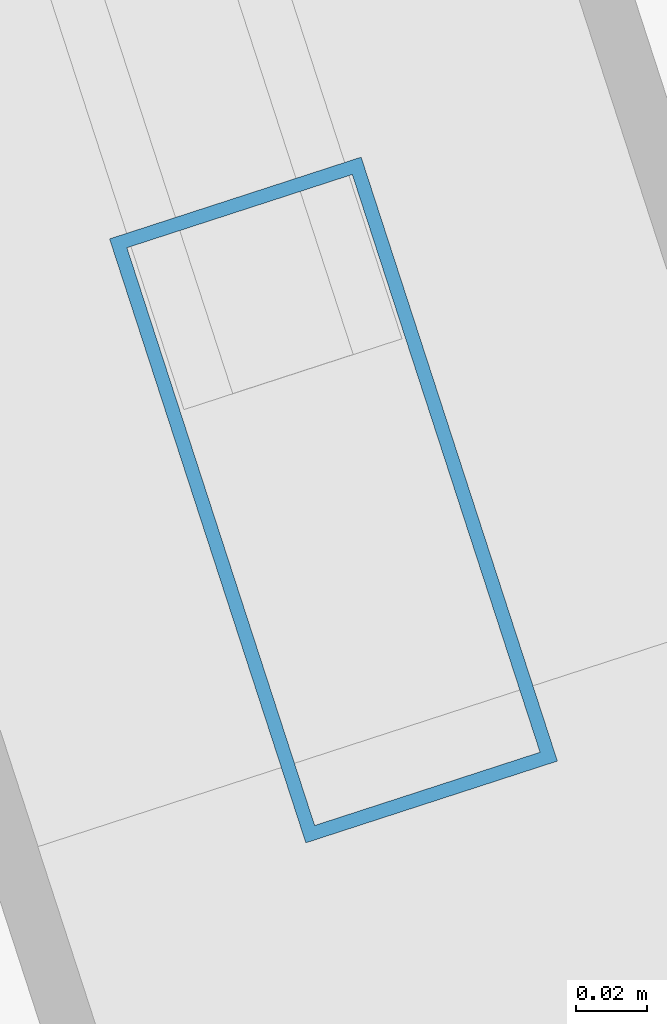
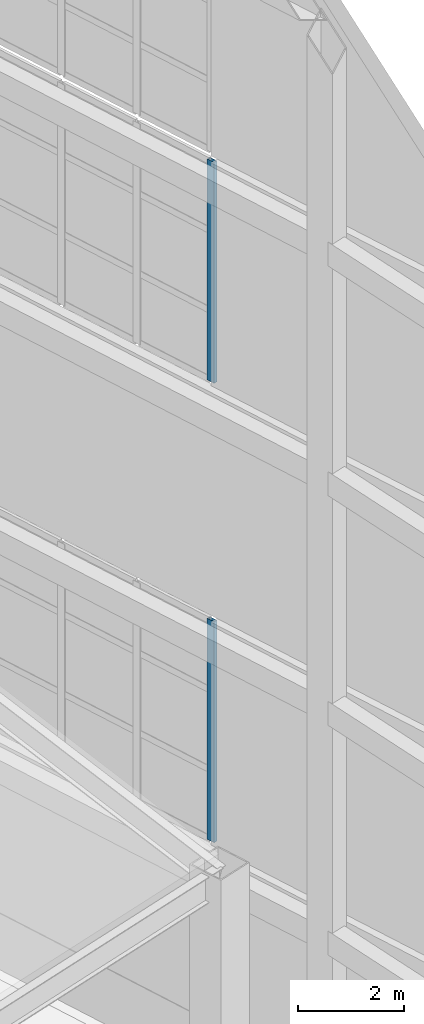
# One storey, part 25 of 56: 2 members, 2 elements without a shape of their own.
"""IFC4 building model written with IfcOpenShell, lengths in metres."""

from ifc_helpers import new_model, si_unit, direction, frame, origin, origin_2d, place, context, subcontext, project, spatial, hollow_rectangle, extrude, material, layer, layer_set, material_profile, profile_set, type_object, element, aggregate, save


model = new_model("IFC4")

# Units and contexts
model_context = context("Model", 3, precision=1e-05, world=origin(), true_north=direction((0.0, 1.0)))
body_context = subcontext(model_context, "Body", "Model", "MODEL_VIEW")
ifc_project = project(units=[si_unit("LENGTHUNIT", "METRE"), si_unit("AREAUNIT", "SQUARE_METRE"), si_unit("VOLUMEUNIT", "CUBIC_METRE"), si_unit("PLANEANGLEUNIT", "RADIAN"), si_unit("MASSUNIT", "GRAM", prefix="KILO")], contexts=[model_context])

# Site, building, storey
site_placement = place(None, origin())
site = spatial("IfcSite", under=ifc_project, at=site_placement, CompositionType="ELEMENT")
building_placement = place(site_placement, origin())
building = spatial("IfcBuilding", under=site, at=building_placement, Name="Qiaolan Cultural Towers", CompositionType="ELEMENT")
storey_placement = place(building_placement, frame((0.0, 0.0, 250.39990234375)))
storey = spatial("IfcBuildingStorey", under=building, at=storey_placement, Name="L68", CompositionType="ELEMENT", Elevation=250.39990234375)

# Curtain wall, member
ifc_material_1 = material(Name="Unitized Anodized Aluminium Curtain Wall System", Category="aluminium")
ifc_layer = layer(ifc_material_1, 0.199951171875)
ifc_layer_set = layer_set([ifc_layer], Name="Unitized Anodized Aluminium Curtain Wall System")
curtain_wall_type = type_object("IfcCurtainWallType", Name="CWS-06", PredefinedType="NOTDEFINED", material=ifc_layer_set)
curtain_wall_1_placement = place(storey_placement, origin())
curtain_wall_1 = element("IfcCurtainWall", 1, at=curtain_wall_1_placement, inside=storey, type_object=curtain_wall_type, Name="T2 Crown Tier 2 Fritted Screen Curtain Wall 3", PredefinedType="NOTDEFINED")
ifc_material_2 = material(Name="Extruded Aluminium 6063-T6", Category="aluminium")
ifc_material_profile = material_profile(ifc_material_2, hollow_rectangle(XDim=0.074951171875, YDim=0.179931640625, WallThickness=0.00390625, at=origin_2d()), Name="CWM-180x75x4")
ifc_profile_set = profile_set([ifc_material_profile], Name="Extruded Aluminium 6063-T6")
member_type = type_object("IfcMemberType", Name="CWS-06-MUL", PredefinedType="MULLION", material=ifc_profile_set)
member_1_placement = place(storey_placement, frame((104.9404296875, 32.83740234375, 5.400146484375), z_axis=(0.0, 0.0, 1.0), x_axis=(-0.951056535512, -0.309016935232, 0.0)))
member_1 = element("IfcMember", 2, at=member_1_placement, type_object=member_type, Name="CW-6 mullion 1", PredefinedType="MULLION", context=body_context, shape_type="SweptSolid", body=[
    extrude(hollow_rectangle(XDim=0.074951171875, YDim=0.179931640625, WallThickness=0.00390625, at=origin_2d()), origin(), (0.0, 0.0, 1.0), 5.099853515625),
])
aggregate(curtain_wall_1, [member_1])

curtain_wall_2_placement = place(storey_placement, origin())
curtain_wall_2 = element("IfcCurtainWall", 3, at=curtain_wall_2_placement, inside=storey, type_object=curtain_wall_type, Name="T2 Crown Tier 4 Fritted Screen Curtain Wall 3", PredefinedType="NOTDEFINED")
member_2_placement = place(storey_placement, frame((104.9404296875, 32.83740234375, 16.0), z_axis=(0.0, 0.0, 1.0), x_axis=(-0.951056535512, -0.309016935232, 0.0)))
member_2 = element("IfcMember", 4, at=member_2_placement, type_object=member_type, Name="CW-6 mullion 1", PredefinedType="MULLION", context=body_context, shape_type="SweptSolid", body=[
    extrude(hollow_rectangle(XDim=0.074951171875, YDim=0.179931640625, WallThickness=0.00390625, at=origin_2d()), origin(), (0.0, 0.0, 1.0), 5.10009765625),
])
aggregate(curtain_wall_2, [member_2])

save(model, "model.ifc")
